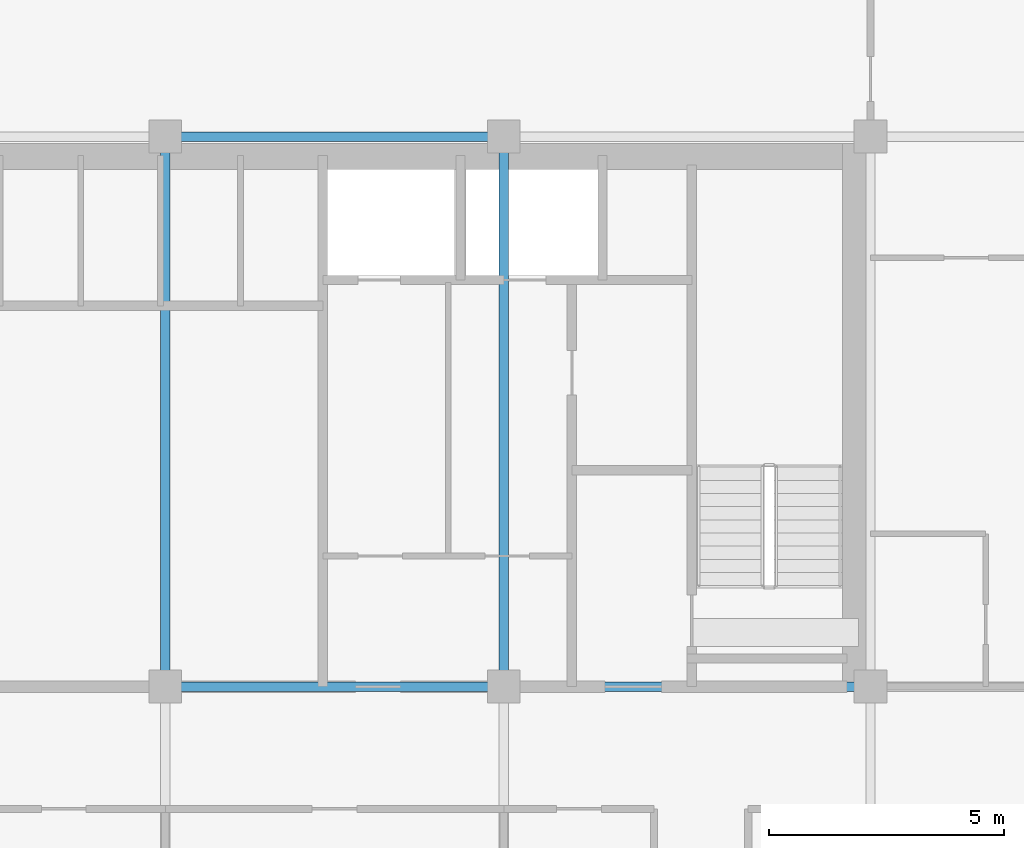
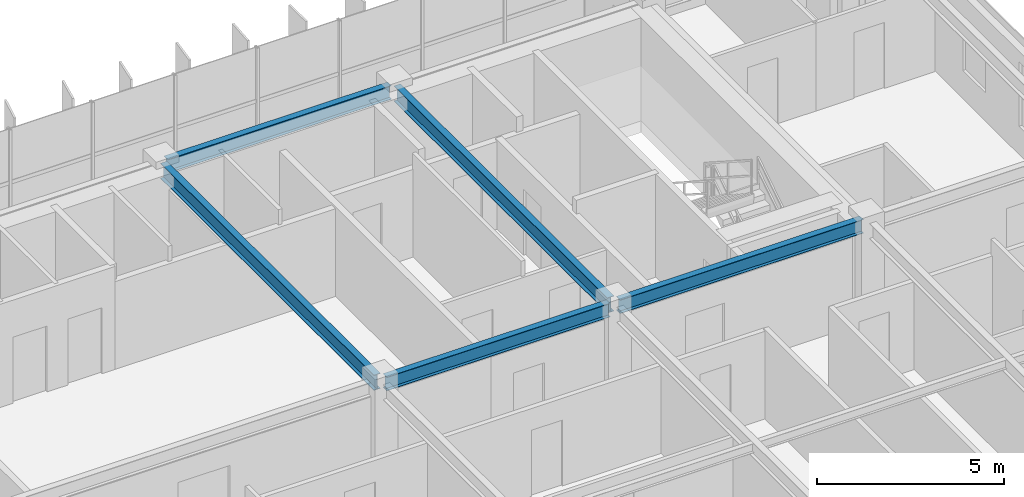
# One storey, part 10 of 23: 5 beams.
"""IFC4 building model written with IfcOpenShell, lengths in metres."""

from ifc_helpers import new_model, si_unit, direction, frame, origin, origin_2d, place, context, subcontext, project, spatial, i_section, extrude, source, transform, mapped, material, material_profile, profile_set, type_object, element, save


model = new_model("IFC4")

# Units and contexts
model_context = context("Model", 3, precision=1e-05, world=origin(), true_north=direction((0.0, 1.0)))
body_context = subcontext(model_context, "Body", "Model", "MODEL_VIEW")
ifc_project = project(units=[si_unit("LENGTHUNIT", "METRE"), si_unit("AREAUNIT", "SQUARE_METRE"), si_unit("VOLUMEUNIT", "CUBIC_METRE"), si_unit("PLANEANGLEUNIT", "RADIAN"), si_unit("MASSUNIT", "GRAM", prefix="KILO")], contexts=[model_context])

# Site, building, storey
site_placement = place(None, origin())
site = spatial("IfcSite", under=ifc_project, at=site_placement, CompositionType="ELEMENT")
building_placement = place(site_placement, origin())
building = spatial("IfcBuilding", under=site, at=building_placement, Name="Trelvane Seafront Commons", CompositionType="ELEMENT")
storey_placement = place(building_placement, frame((0.0, 0.0, 204.89990234375)))
storey = spatial("IfcBuildingStorey", under=building, at=storey_placement, Name="L53", CompositionType="ELEMENT", Elevation=204.89990234375)

# Beams
ifc_material = material(Name="Steel SM355 (S355)", Category="steel")
ifc_material_profile_1 = material_profile(ifc_material, i_section(OverallWidth=0.199951171875, OverallDepth=0.5, WebThickness=0.010009765625, FlangeThickness=0.01611328125, at=origin_2d()), Name="H-500x200x10x16")
ifc_profile_set_1 = profile_set([ifc_material_profile_1], Name="Steel SM355 (S355)")
beam_type_1 = type_object("IfcBeamType", Name="STR-BM-H500", PredefinedType="BEAM", material=ifc_profile_set_1)
shared_shape_1 = source(origin(), body_context, "Body", "SweptSolid", [
    extrude(i_section(OverallWidth=0.199951171875, OverallDepth=0.5, WebThickness=0.010009765625, FlangeThickness=0.01611328125, at=origin_2d()), origin(), (0.0, 0.0, 1.0), 11.39990234375),
])
for number, where, z_axis, x_axis, name in (
    (1, (43.800048828125, 33.550048828125, 3.110107421875), (0.0, 1.0, 0.0), (-1.0, 0.0, 0.0), "L53 Primary Girder G-43"),
    (2, (51.0, 33.550048828125, 3.110107421875), (0.0, 1.0, 0.0), (-1.0, 0.0, 0.0), "L53 Primary Girder G-46"),
):
    element("IfcBeam", number, at=place(storey_placement, frame(where, z_axis=z_axis, x_axis=x_axis)), inside=storey, type_object=beam_type_1, Name=name, PredefinedType="BEAM", context=body_context, shape_type="MappedRepresentation", body=[
        mapped(shared_shape_1, transform((0.0, 0.0, 0.0), x_axis=(1.0, 0.0, 0.0), y_axis=(0.0, 1.0, 0.0), z_axis=(0.0, 0.0, 1.0), scale=1.0)),
    ])
ifc_material_profile_2 = material_profile(ifc_material, i_section(OverallWidth=0.199951171875, OverallDepth=0.449951171875, WebThickness=0.009033203125, FlangeThickness=0.013916015625, at=origin_2d()), Name="H-450x200x9x14")
ifc_profile_set_2 = profile_set([ifc_material_profile_2], Name="Steel SM355 (S355)")
beam_type_2 = type_object("IfcBeamType", Name="STR-SPD-H450", PredefinedType="SPANDREL", material=ifc_profile_set_2)
shared_shape_2 = source(origin(), body_context, "Body", "SweptSolid", [
    extrude(i_section(OverallWidth=0.199951171875, OverallDepth=0.449951171875, WebThickness=0.009033203125, FlangeThickness=0.013916015625, at=origin_2d()), origin(), (0.0, 0.0, 1.0), 7.5),
])
beam_placement = place(storey_placement, frame((51.14990234375, 33.39990234375, 3.135009765625), z_axis=(1.0, 0.0, 0.0), x_axis=(0.0, 1.0, 0.0)))
element("IfcBeam", 3, at=beam_placement, inside=storey, type_object=beam_type_2, Name="L53 Primary Girder G-20", PredefinedType="SPANDREL", context=body_context, shape_type="MappedRepresentation", body=[
    mapped(shared_shape_2, transform((0.0, 0.0, 0.0), x_axis=(1.0, 0.0, 0.0), y_axis=(0.0, 1.0, 0.0), z_axis=(0.0, 0.0, 1.0), scale=1.0)),
])
shared_shape_3 = source(origin(), body_context, "Body", "SweptSolid", [
    extrude(i_section(OverallWidth=0.199951171875, OverallDepth=0.449951171875, WebThickness=0.009033203125, FlangeThickness=0.013916015625, at=origin_2d()), origin(), (0.0, 0.0, 1.0), 6.900146484375),
])
for number, where, z_axis, x_axis, name in (
    (4, (43.949951171875, 33.39990234375, 3.135009765625), (1.0, 0.0, 0.0), (0.0, 1.0, 0.0), "L53 Primary Girder G-19"),
    (5, (43.949951171875, 45.10009765625, 3.135009765625), (1.0, 0.0, 0.0), (0.0, 1.0, 0.0), "L53 Primary Girder G-26"),
):
    element("IfcBeam", number, at=place(storey_placement, frame(where, z_axis=z_axis, x_axis=x_axis)), inside=storey, type_object=beam_type_2, Name=name, PredefinedType="SPANDREL", context=body_context, shape_type="MappedRepresentation", body=[
        mapped(shared_shape_3, transform((0.0, 0.0, 0.0), x_axis=(1.0, 0.0, 0.0), y_axis=(0.0, 1.0, 0.0), z_axis=(0.0, 0.0, 1.0), scale=1.0)),
    ])

save(model, "model.ifc")
